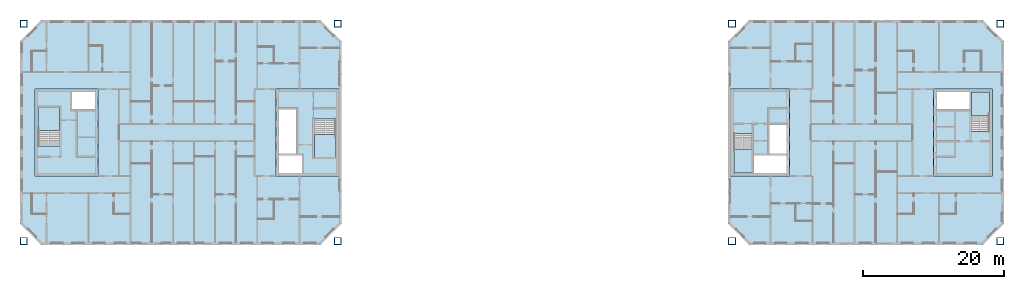
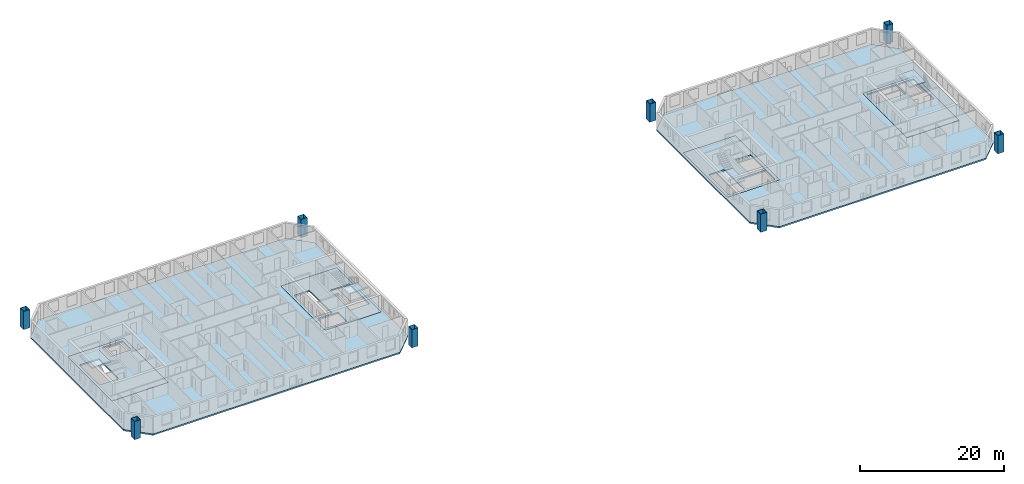
# One storey, part 1 of 15: 10 slabs, 8 columns, 4 elements without a shape of their own.
"""IFC4 building model written with IfcOpenShell, lengths in metres."""

import ifcopenshell
import ifcopenshell.guid

model = None  # the IFC model being written
_history = None  # IfcOwnerHistory: only IFC2X3 demands one
_inside = {}  # id of a spatial element -> (the spatial element, [elements in it])
_under = {}  # id of a project, library or spatial element -> (it, [spatial elements below it])
_declared = {}  # id of a project -> (the project, [libraries it declares])
_typed = {}  # id of a type object -> (the type object, [elements of that type])
_made_of = {}  # id of a material, layer set ... -> (it, [elements and type objects made of it])


def new_model(schema):
    """Start an empty IFC model of exactly this schema.

    Asked for "IFC4X3", IfcOpenShell would pick the latest addendum, in which some entities
    have other attributes; the version numbers below select the first issue.
    IFC2X3 requires an IfcOwnerHistory on every rooted entity: one is made here for all.
    """
    global model, _history
    if schema == "IFC4X3":
        model = ifcopenshell.file(schema_version=(4, 3, 0, 0))
    else:
        model = ifcopenshell.file(schema=schema)
    _inside.clear()
    _under.clear()
    _declared.clear()
    _typed.clear()
    _made_of.clear()
    _history = None
    if model.schema == "IFC2X3":
        org = make("IfcOrganization", Name="unknown")
        user = make(
            "IfcPersonAndOrganization",
            ThePerson=make("IfcPerson", FamilyName="unknown"),
            TheOrganization=org,
        )
        app = make(
            "IfcApplication",
            ApplicationDeveloper=org,
            Version="unknown",
            ApplicationFullName="unknown",
            ApplicationIdentifier="unknown",
        )
        _history = make(
            "IfcOwnerHistory",
            OwningUser=user,
            OwningApplication=app,
            ChangeAction="ADDED",
            CreationDate=0,
        )
    return model


def make(cls, **values):
    """One entity of the class cls with the attributes given. An attribute that is None is left unset."""
    return model.create_entity(
        cls, **{name: value for name, value in values.items() if value is not None}
    )


def rooted(cls, **values):
    """An entity with a GlobalId (a new one), such as an element, a storey or a relation."""
    return make(cls, GlobalId=ifcopenshell.guid.new(), OwnerHistory=_history, **values)


def si_unit(unit_type, name, prefix=None):
    """IfcSIUnit, for example si_unit("LENGTHUNIT", "METRE", prefix="MILLI")."""
    return make("IfcSIUnit", UnitType=unit_type, Prefix=prefix, Name=name)


def assignment(units):
    """IfcUnitAssignment: the units of a project."""
    return None if units is None else make("IfcUnitAssignment", Units=units)


def point(xyz):
    """IfcCartesianPoint."""
    return None if xyz is None else make("IfcCartesianPoint", Coordinates=xyz)


def direction(xyz):
    """IfcDirection."""
    return None if xyz is None else make("IfcDirection", DirectionRatios=xyz)


def frame(location, z_axis=None, x_axis=None):
    """IfcAxis2Placement3D, a coordinate frame: its origin and axes. An axis left out is left unset."""
    return make(
        "IfcAxis2Placement3D",
        Location=point(location),
        Axis=direction(z_axis),
        RefDirection=direction(x_axis),
    )


def frame_2d(location, x_axis=None):
    """IfcAxis2Placement2D, a coordinate frame in the plane: its origin and x axis."""
    return make(
        "IfcAxis2Placement2D", Location=point(location), RefDirection=direction(x_axis)
    )


def origin():
    """The frame at (0, 0, 0) with its axes left unset."""
    return frame((0.0, 0.0, 0.0))


def origin_2d():
    """The frame at (0, 0) in the plane with its x axis left unset."""
    return frame_2d((0.0, 0.0))


def place(relative_to, where):
    """IfcLocalPlacement: puts the frame where relative to a parent placement (None: the world)."""
    return make(
        "IfcLocalPlacement", PlacementRelTo=relative_to, RelativePlacement=where
    )


def context(
    kind, dimensions, precision=None, world=None, true_north=None, identifier=None
):
    """IfcGeometricRepresentationContext, for example the 3D "Model" context."""
    return make(
        "IfcGeometricRepresentationContext",
        ContextIdentifier=identifier,
        ContextType=kind,
        CoordinateSpaceDimension=dimensions,
        Precision=precision,
        WorldCoordinateSystem=world,
        TrueNorth=true_north,
    )


def subcontext(parent, identifier, kind, view, scale=None):
    """IfcGeometricRepresentationSubContext, for example "Body" below "Model"."""
    return make(
        "IfcGeometricRepresentationSubContext",
        ContextIdentifier=identifier,
        ContextType=kind,
        ParentContext=parent,
        TargetScale=scale,
        TargetView=view,
    )


def project(units=None, contexts=None):
    """IfcProject with its units and contexts."""
    return rooted(
        "IfcProject",
        Name="project",
        RepresentationContexts=contexts,
        UnitsInContext=assignment(units),
    )


def spatial(cls, under=None, at=None, **own):
    """A site, building, storey or space (cls), placed at a placement, below another one or the project."""
    s = rooted(cls, ObjectPlacement=at, **own)
    if under is not None:
        _under.setdefault(under.id(), (under, []))[1].append(s)
    return s


def polyline(points):
    """IfcPolyline through the points."""
    return make("IfcPolyline", Points=[point(p) for p in points])


def profile(cls, at=None, kind="AREA", **sizes):
    """A parametric profile (cls). Its sizes go by their IFC names, for example OverallWidth=200.0."""
    return make(cls, ProfileType=kind, Position=at, **sizes)


def hollow_rectangle(**sizes):
    """IfcRectangleHollowProfileDef."""
    return profile("IfcRectangleHollowProfileDef", **sizes)


def outline(outer, holes=None, kind="AREA"):
    """IfcArbitraryClosedProfileDef: a profile drawn as a closed curve; with holes, ...WithVoids."""
    if holes is None:
        return make("IfcArbitraryClosedProfileDef", ProfileType=kind, OuterCurve=outer)
    return make(
        "IfcArbitraryProfileDefWithVoids",
        ProfileType=kind,
        OuterCurve=outer,
        InnerCurves=holes,
    )


def extrude(swept, where, along, depth):
    """IfcExtrudedAreaSolid: the profile swept, set in the frame where, extruded along a direction by depth."""
    return make(
        "IfcExtrudedAreaSolid",
        SweptArea=swept,
        Position=where,
        ExtrudedDirection=direction(along),
        Depth=depth,
    )


def shape(context_of_items, identifier, shape_type, items):
    """IfcShapeRepresentation: the items that make up one representation, for example the "Body"."""
    return make(
        "IfcShapeRepresentation",
        ContextOfItems=context_of_items,
        RepresentationIdentifier=identifier,
        RepresentationType=shape_type,
        Items=items,
    )


def material(Name=None, Category=None):
    """IfcMaterial."""
    return make("IfcMaterial", Name=Name, Category=Category)


def layer(
    of_material, thickness, ventilated=None, Name=None, Category=None, Priority=None
):
    """IfcMaterialLayer: one layer of a wall or slab, of a material (None: an air gap)."""
    return make(
        "IfcMaterialLayer",
        Material=of_material,
        LayerThickness=thickness,
        IsVentilated=ventilated,
        Name=Name,
        Category=Category,
        Priority=Priority,
    )


def layer_set(layers, Name=None):
    """IfcMaterialLayerSet."""
    return make("IfcMaterialLayerSet", MaterialLayers=layers, LayerSetName=Name)


def material_profile(
    of_material, cross_section, Name=None, Category=None, Priority=None
):
    """IfcMaterialProfile: a cross section and its material."""
    return make(
        "IfcMaterialProfile",
        Name=Name,
        Material=of_material,
        Profile=cross_section,
        Priority=Priority,
        Category=Category,
    )


def profile_set(profiles, Name=None, composite=None):
    """IfcMaterialProfileSet."""
    return make(
        "IfcMaterialProfileSet",
        Name=Name,
        MaterialProfiles=profiles,
        CompositeProfile=composite,
    )


def made_of(thing, what):
    """Note that an element or type object is made of a material, layer set ...; save() writes the relation."""
    if what is not None:
        _made_of.setdefault(what.id(), (what, []))[1].append(thing)
    return thing


def type_object(cls, material=None, **own):
    """A type object (cls), such as IfcWallType, which elements share."""
    return made_of(rooted(cls, **own), material)


def element(
    cls,
    number,
    at=None,
    inside=None,
    cuts=None,
    type_object=None,
    material=None,
    context=None,
    identifier="Body",
    shape_type=None,
    held_by="IfcProductDefinitionShape",
    body=None,
    shapes=None,
    **own,
):
    """One element of the class cls, such as IfcWall. Its Tag is "e" and its number.

    at: its placement. inside: the storey or other place that contains it. cuts: it is an
    opening in that element (IfcRelVoidsElement). A single representation is given by context,
    identifier, shape_type and body (its items); several are given by shapes. held_by: the class
    of the entity that holds the representations. save() writes the other relations.
    """
    e = rooted(cls, Tag="e%d" % number, ObjectPlacement=at, **own)
    if body is not None:
        shapes = [shape(context, identifier, shape_type, body)]
    if shapes is not None:
        e.Representation = make(held_by, Representations=shapes)
    if inside is not None:
        _inside.setdefault(inside.id(), (inside, []))[1].append(e)
    if cuts is not None:
        rooted(
            "IfcRelVoidsElement", RelatingBuildingElement=cuts, RelatedOpeningElement=e
        )
    if type_object is not None:
        _typed.setdefault(type_object.id(), (type_object, []))[1].append(e)
    return made_of(e, material)


def aggregate(whole, parts):
    """IfcRelAggregates: a whole, such as a stair, and the parts it consists of."""
    return rooted("IfcRelAggregates", RelatingObject=whole, RelatedObjects=parts)


def save(model, path):
    """Write the relations noted so far, then the file.

    IfcRelAggregates (storeys below a building ...), IfcRelContainedInSpatialStructure (elements
    in a storey), IfcRelDefinesByType, IfcRelAssociatesMaterial and IfcRelDeclares: one each for
    every whole, place, type object, material and project.
    """
    for whole, parts in _under.values():
        aggregate(whole, parts)
    for where, things in _inside.values():
        rooted(
            "IfcRelContainedInSpatialStructure",
            RelatedElements=things,
            RelatingStructure=where,
        )
    for kind, things in _typed.values():
        rooted("IfcRelDefinesByType", RelatedObjects=things, RelatingType=kind)
    for what, things in _made_of.values():
        rooted("IfcRelAssociatesMaterial", RelatedObjects=things, RelatingMaterial=what)
    for by, libraries in _declared.values():
        rooted("IfcRelDeclares", RelatingContext=by, RelatedDefinitions=libraries)
    model.write(path)


model = new_model("IFC4")

# Units and contexts
model_context = context("Model", 3, precision=1e-05, world=origin(), true_north=direction((0.0, 1.0)))
body_context = subcontext(model_context, "Body", "Model", "MODEL_VIEW")
ifc_project = project(units=[si_unit("LENGTHUNIT", "METRE"), si_unit("AREAUNIT", "SQUARE_METRE"), si_unit("VOLUMEUNIT", "CUBIC_METRE"), si_unit("PLANEANGLEUNIT", "RADIAN"), si_unit("MASSUNIT", "GRAM", prefix="KILO")], contexts=[model_context])

# Site, building, storey
site_placement = place(None, origin())
site = spatial("IfcSite", under=ifc_project, at=site_placement, CompositionType="ELEMENT")
building_placement = place(site_placement, origin())
building = spatial("IfcBuilding", under=site, at=building_placement, Name="Tuart Gate Housing", CompositionType="ELEMENT")
storey_placement = place(building_placement, frame((0.0, 0.0, 188.199951171875)))
storey = spatial("IfcBuildingStorey", under=building, at=storey_placement, Name="L53", CompositionType="ELEMENT", Elevation=188.199951171875)

# Columns
ifc_material_1 = material(Name="Steel Grade 350", Category="steel")
ifc_material_profile = material_profile(ifc_material_1, hollow_rectangle(XDim=1.0, YDim=1.0, WallThickness=0.054931640625, at=origin_2d()), Name="BOX 1000x1000x55")
ifc_profile_set = profile_set([ifc_material_profile], Name="Steel Grade 350")
column_type = type_object("IfcColumnType", Name="Mega column BOX 1000x1000x55", PredefinedType="COLUMN", material=ifc_profile_set)
for number, where, z_axis, x_axis, name in (
    (1, (30.800048828125, 54.550048828125, 0.0), (0.0, 0.0, 1.0), (1.0, 0.0, 0.0), "Mega column A south-west L53"),
    (2, (75.449951171875, 54.550048828125, 0.0), (0.0, 0.0, 1.0), (1.0, 0.0, 0.0), "Mega column A south-east L53"),
    (3, (75.449951171875, 85.449951171875, 0.0), (0.0, 0.0, 1.0), (1.0, 0.0, 0.0), "Mega column A north-east L53"),
    (4, (30.800048828125, 85.449951171875, 0.0), (0.0, 0.0, 1.0), (1.0, 0.0, 0.0), "Mega column A north-west L53"),
    (5, (131.550048828125, 54.550048828125, 0.0), (0.0, 0.0, 1.0), (1.0, 0.0, 0.0), "Mega column B south-west L53"),
    (6, (169.699951171875, 54.550048828125, 0.0), (0.0, 0.0, 1.0), (1.0, 0.0, 0.0), "Mega column B south-east L53"),
    (7, (169.699951171875, 85.449951171875, 0.0), (0.0, 0.0, 1.0), (1.0, 0.0, 0.0), "Mega column B north-east L53"),
    (8, (131.550048828125, 85.449951171875, 0.0), (0.0, 0.0, 1.0), (1.0, 0.0, 0.0), "Mega column B north-west L53"),
):
    element("IfcColumn", number, at=place(storey_placement, frame(where, z_axis=z_axis, x_axis=x_axis)), inside=storey, type_object=column_type, Name=name, PredefinedType="COLUMN", context=body_context, shape_type="SweptSolid", body=[
        extrude(hollow_rectangle(XDim=1.0, YDim=1.0, WallThickness=0.054931640625, at=origin_2d()), origin(), (0.0, 0.0, 1.0), 3.10009765625),
    ])

# Slabs
ifc_material_2 = material(Name="Concrete C40", Category="concrete")
ifc_layer_1 = layer(ifc_material_2, 0.25)
ifc_layer_set_1 = layer_set([ifc_layer_1], Name="Core floor slab 250")
slab_type_1 = type_object("IfcSlabType", Name="Core floor slab 250", PredefinedType="FLOOR", material=ifc_layer_set_1)
slab_1_placement = place(storey_placement, frame((0.0, 0.0, -0.25)))
element("IfcSlab", 9, at=slab_1_placement, inside=storey, type_object=slab_type_1, Name="Core floor AG", PredefinedType="FLOOR", context=body_context, shape_type="SweptSolid", body=[
    extrude(outline(polyline([(66.639892578125, 63.800048828125), (75.639892578125, 63.800048828125), (75.639892578125, 76.199951171875), (66.639892578125, 76.199951171875), (66.639892578125, 63.800048828125)]), holes=[polyline([(67.090087890625, 64.25), (70.385009765625, 64.25), (70.385009765625, 66.72509765625), (67.090087890625, 66.72509765625), (67.090087890625, 64.25)]), polyline([(67.090087890625, 66.97509765625), (69.56494140625, 66.97509765625), (69.56494140625, 73.324951171875), (67.090087890625, 73.324951171875), (67.090087890625, 66.97509765625)]), polyline([(72.114990234375, 66.35009765625), (75.18994140625, 66.35009765625), (75.18994140625, 71.929931640625), (72.114990234375, 71.929931640625), (72.114990234375, 66.35009765625)])]), origin(), (0.0, 0.0, 1.0), 0.25),
])
slab_2_placement = place(storey_placement, frame((0.0, 0.0, -0.25)))
element("IfcSlab", 10, at=slab_2_placement, inside=storey, type_object=slab_type_1, Name="Core floor AK", PredefinedType="FLOOR", context=body_context, shape_type="SweptSolid", body=[
    extrude(outline(polyline([(32.360107421875, 63.800048828125), (41.360107421875, 63.800048828125), (41.360107421875, 76.199951171875), (32.360107421875, 76.199951171875), (32.360107421875, 63.800048828125)]), holes=[polyline([(40.909912109375, 75.75), (37.614990234375, 75.75), (37.614990234375, 73.27490234375), (40.909912109375, 73.27490234375), (40.909912109375, 75.75)]), polyline([(35.885009765625, 73.64990234375), (32.81005859375, 73.64990234375), (32.81005859375, 68.070068359375), (35.885009765625, 68.070068359375), (35.885009765625, 73.64990234375)])]), origin(), (0.0, 0.0, 1.0), 0.25),
])
slab_3_placement = place(storey_placement, frame((0.0, 0.0, -0.25)))
element("IfcSlab", 11, at=slab_3_placement, inside=storey, type_object=slab_type_1, Name="Core floor BG", PredefinedType="FLOOR", context=body_context, shape_type="SweptSolid", body=[
    extrude(outline(polyline([(131.360107421875, 63.800048828125), (139.760009765625, 63.800048828125), (139.760009765625, 76.199951171875), (131.360107421875, 76.199951171875), (131.360107421875, 63.800048828125)]), holes=[polyline([(139.31005859375, 66.85009765625), (134.635009765625, 66.85009765625), (134.635009765625, 64.25), (139.31005859375, 64.25), (139.31005859375, 66.85009765625)]), polyline([(139.31005859375, 71.125), (136.8349609375, 71.125), (136.8349609375, 66.97509765625), (139.31005859375, 66.97509765625), (139.31005859375, 71.125)]), polyline([(134.385009765625, 69.85498046875), (131.81005859375, 69.85498046875), (131.81005859375, 64.25), (134.385009765625, 64.25), (134.385009765625, 69.85498046875)])]), origin(), (0.0, 0.0, 1.0), 0.25),
])
slab_4_placement = place(storey_placement, frame((0.0, 0.0, -0.25)))
element("IfcSlab", 12, at=slab_4_placement, inside=storey, type_object=slab_type_1, Name="Core floor BK", PredefinedType="FLOOR", context=body_context, shape_type="SweptSolid", body=[
    extrude(outline(polyline([(160.239990234375, 63.800048828125), (168.639892578125, 63.800048828125), (168.639892578125, 76.199951171875), (160.239990234375, 76.199951171875), (160.239990234375, 63.800048828125)]), holes=[polyline([(160.68994140625, 73.14990234375), (165.364990234375, 73.14990234375), (165.364990234375, 75.75), (160.68994140625, 75.75), (160.68994140625, 73.14990234375)]), polyline([(165.614990234375, 70.14501953125), (168.18994140625, 70.14501953125), (168.18994140625, 75.75), (165.614990234375, 75.75), (165.614990234375, 70.14501953125)])]), origin(), (0.0, 0.0, 1.0), 0.25),
])
ifc_material_3 = material(Name="Concrete C40", Category="concrete")
ifc_layer_2 = layer(ifc_material_3, 0.25)
ifc_layer_set_2 = layer_set([ifc_layer_2], Name="Flat plate 250")
slab_type_2 = type_object("IfcSlabType", Name="Flat plate 250", PredefinedType="FLOOR", material=ifc_layer_set_2)
slab_5_placement = place(storey_placement, frame((0.0, 0.0, -0.25)))
element("IfcSlab", 13, at=slab_5_placement, inside=storey, type_object=slab_type_2, Name="Floor slab A L53", PredefinedType="FLOOR", context=body_context, shape_type="SweptSolid", body=[
    extrude(outline(polyline([(33.25, 86.0), (30.25, 83.0), (30.25, 57.0), (33.25, 54.0), (73.0, 54.0), (76.0, 57.0), (76.0, 83.0), (73.0, 86.0), (33.25, 86.0)]), holes=[polyline([(66.639892578125, 76.199951171875), (75.639892578125, 76.199951171875), (75.639892578125, 63.800048828125), (66.639892578125, 63.800048828125), (66.639892578125, 76.199951171875)]), polyline([(41.360107421875, 76.199951171875), (41.360107421875, 63.800048828125), (32.360107421875, 63.800048828125), (32.360107421875, 76.199951171875), (41.360107421875, 76.199951171875)])]), origin(), (0.0, 0.0, 1.0), 0.25),
])
slab_6_placement = place(storey_placement, frame((0.0, 0.0, -0.25)))
element("IfcSlab", 14, at=slab_6_placement, inside=storey, type_object=slab_type_2, Name="Floor slab B L53", PredefinedType="FLOOR", context=body_context, shape_type="SweptSolid", body=[
    extrude(outline(polyline([(134.0, 86.0), (131.0, 83.0), (131.0, 57.0), (134.0, 54.0), (167.25, 54.0), (170.25, 57.0), (170.25, 83.0), (167.25, 86.0), (134.0, 86.0)]), holes=[polyline([(131.360107421875, 76.199951171875), (139.760009765625, 76.199951171875), (139.760009765625, 63.800048828125), (131.360107421875, 63.800048828125), (131.360107421875, 76.199951171875)]), polyline([(168.639892578125, 76.199951171875), (168.639892578125, 63.800048828125), (160.239990234375, 63.800048828125), (160.239990234375, 76.199951171875), (168.639892578125, 76.199951171875)])]), origin(), (0.0, 0.0, 1.0), 0.25),
])

# Stair, slab
ifc_material_4 = material(Name="Concrete C40", Category="concrete")
stair_type_1 = type_object("IfcStairType", Name="Core stair 1500", PredefinedType="HALF_TURN_STAIR", material=ifc_material_4)
stair_1_placement = place(storey_placement, origin())
stair_1 = element("IfcStair", 15, at=stair_1_placement, inside=storey, type_object=stair_type_1, Name="Stair SA1", PredefinedType="HALF_TURN_STAIR")
ifc_material_5 = material(Name="Concrete C40", Category="concrete")
ifc_layer_3 = layer(ifc_material_5, 0.199951171875)
ifc_layer_set_3 = layer_set([ifc_layer_3], Name="Stair landing 200")
slab_type_3 = type_object("IfcSlabType", Name="Stair landing 200", PredefinedType="LANDING", material=ifc_layer_set_3)
slab_7_placement = place(storey_placement, frame((0.0, 0.0, 1.35009765625)))
slab_7 = element("IfcSlab", 16, at=slab_7_placement, type_object=slab_type_3, Name="SA1 landing 1", PredefinedType="LANDING", context=body_context, shape_type="SweptSolid", body=[
    extrude(outline(polyline([(72.114990234375, 66.35009765625), (75.18994140625, 66.35009765625), (75.18994140625, 69.7099609375), (72.114990234375, 69.7099609375), (72.114990234375, 66.35009765625)])), origin(), (0.0, 0.0, 1.0), 0.199951171875),
])
aggregate(stair_1, [slab_7])

stair_2_placement = place(storey_placement, origin())
stair_2 = element("IfcStair", 17, at=stair_2_placement, inside=storey, type_object=stair_type_1, Name="Stair SA2", PredefinedType="HALF_TURN_STAIR")
slab_8_placement = place(storey_placement, frame((0.0, 0.0, 1.35009765625)))
slab_8 = element("IfcSlab", 18, at=slab_8_placement, type_object=slab_type_3, Name="SA2 landing 1", PredefinedType="LANDING", context=body_context, shape_type="SweptSolid", body=[
    extrude(outline(polyline([(35.885009765625, 73.64990234375), (32.81005859375, 73.64990234375), (32.81005859375, 70.2900390625), (35.885009765625, 70.2900390625), (35.885009765625, 73.64990234375)])), origin(), (0.0, 0.0, 1.0), 0.199951171875),
])
aggregate(stair_2, [slab_8])

ifc_material_6 = material(Name="Concrete C40", Category="concrete")
stair_type_2 = type_object("IfcStairType", Name="Core stair 1250", PredefinedType="HALF_TURN_STAIR", material=ifc_material_6)
stair_3_placement = place(storey_placement, origin())
stair_3 = element("IfcStair", 19, at=stair_3_placement, inside=storey, type_object=stair_type_2, Name="Stair SB1", PredefinedType="HALF_TURN_STAIR")
slab_9_placement = place(storey_placement, frame((0.0, 0.0, 1.35009765625)))
slab_9 = element("IfcSlab", 20, at=slab_9_placement, type_object=slab_type_3, Name="SB1 landing 1", PredefinedType="LANDING", context=body_context, shape_type="SweptSolid", body=[
    extrude(outline(polyline([(134.385009765625, 67.635009765625), (131.81005859375, 67.635009765625), (131.81005859375, 64.25), (134.385009765625, 64.25), (134.385009765625, 67.635009765625)])), origin(), (0.0, 0.0, 1.0), 0.199951171875),
])
aggregate(stair_3, [slab_9])

stair_4_placement = place(storey_placement, origin())
stair_4 = element("IfcStair", 21, at=stair_4_placement, inside=storey, type_object=stair_type_2, Name="Stair SB2", PredefinedType="HALF_TURN_STAIR")
slab_10_placement = place(storey_placement, frame((0.0, 0.0, 1.35009765625)))
slab_10 = element("IfcSlab", 22, at=slab_10_placement, type_object=slab_type_3, Name="SB2 landing 1", PredefinedType="LANDING", context=body_context, shape_type="SweptSolid", body=[
    extrude(outline(polyline([(165.614990234375, 72.364990234375), (168.18994140625, 72.364990234375), (168.18994140625, 75.75), (165.614990234375, 75.75), (165.614990234375, 72.364990234375)])), origin(), (0.0, 0.0, 1.0), 0.199951171875),
])
aggregate(stair_4, [slab_10])

save(model, "model.ifc")
